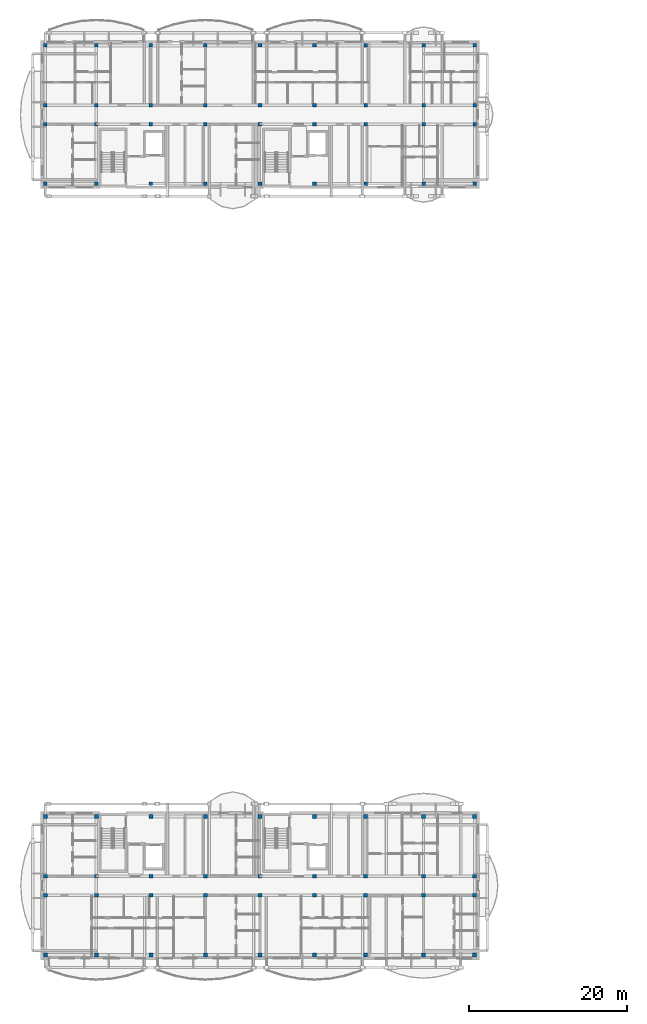
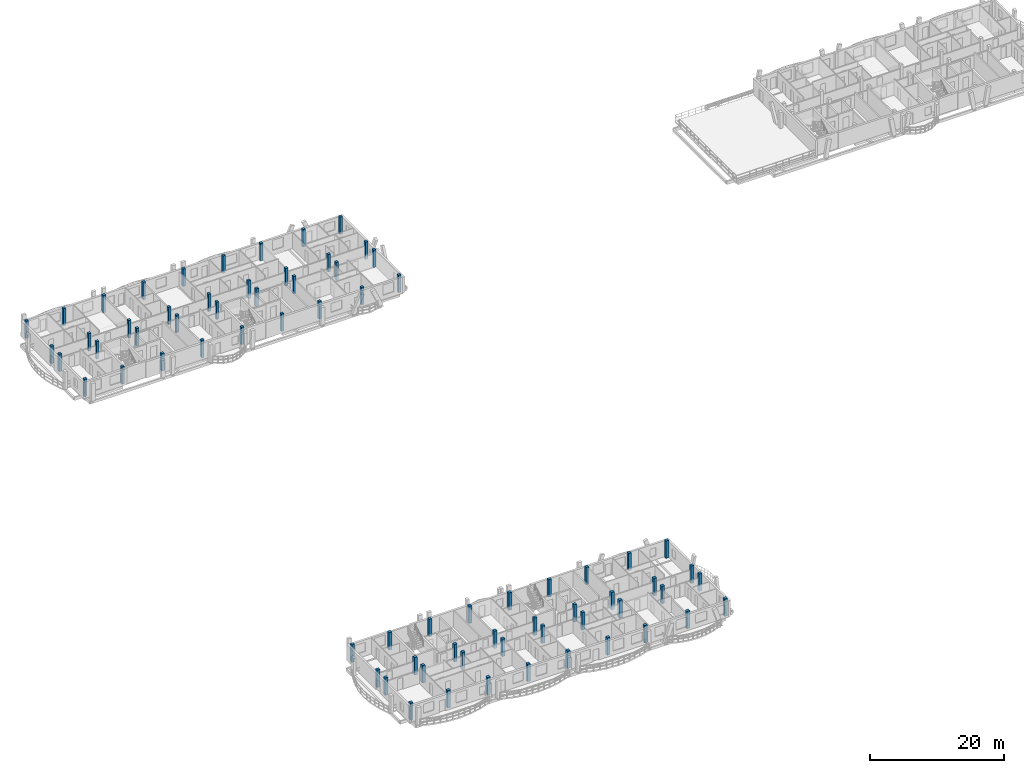
# One storey, part 1 of 44: 72 columns.
"""IFC4 building model written with IfcOpenShell, lengths in metres."""

import ifcopenshell
import ifcopenshell.guid

model = None  # the IFC model being written
_history = None  # IfcOwnerHistory: only IFC2X3 demands one
_inside = {}  # id of a spatial element -> (the spatial element, [elements in it])
_under = {}  # id of a project, library or spatial element -> (it, [spatial elements below it])
_declared = {}  # id of a project -> (the project, [libraries it declares])
_typed = {}  # id of a type object -> (the type object, [elements of that type])
_made_of = {}  # id of a material, layer set ... -> (it, [elements and type objects made of it])


def new_model(schema):
    """Start an empty IFC model of exactly this schema.

    Asked for "IFC4X3", IfcOpenShell would pick the latest addendum, in which some entities
    have other attributes; the version numbers below select the first issue.
    IFC2X3 requires an IfcOwnerHistory on every rooted entity: one is made here for all.
    """
    global model, _history
    if schema == "IFC4X3":
        model = ifcopenshell.file(schema_version=(4, 3, 0, 0))
    else:
        model = ifcopenshell.file(schema=schema)
    _inside.clear()
    _under.clear()
    _declared.clear()
    _typed.clear()
    _made_of.clear()
    _history = None
    if model.schema == "IFC2X3":
        org = make("IfcOrganization", Name="unknown")
        user = make(
            "IfcPersonAndOrganization",
            ThePerson=make("IfcPerson", FamilyName="unknown"),
            TheOrganization=org,
        )
        app = make(
            "IfcApplication",
            ApplicationDeveloper=org,
            Version="unknown",
            ApplicationFullName="unknown",
            ApplicationIdentifier="unknown",
        )
        _history = make(
            "IfcOwnerHistory",
            OwningUser=user,
            OwningApplication=app,
            ChangeAction="ADDED",
            CreationDate=0,
        )
    return model


def make(cls, **values):
    """One entity of the class cls with the attributes given. An attribute that is None is left unset."""
    return model.create_entity(
        cls, **{name: value for name, value in values.items() if value is not None}
    )


def rooted(cls, **values):
    """An entity with a GlobalId (a new one), such as an element, a storey or a relation."""
    return make(cls, GlobalId=ifcopenshell.guid.new(), OwnerHistory=_history, **values)


def si_unit(unit_type, name, prefix=None):
    """IfcSIUnit, for example si_unit("LENGTHUNIT", "METRE", prefix="MILLI")."""
    return make("IfcSIUnit", UnitType=unit_type, Prefix=prefix, Name=name)


def assignment(units):
    """IfcUnitAssignment: the units of a project."""
    return None if units is None else make("IfcUnitAssignment", Units=units)


def point(xyz):
    """IfcCartesianPoint."""
    return None if xyz is None else make("IfcCartesianPoint", Coordinates=xyz)


def direction(xyz):
    """IfcDirection."""
    return None if xyz is None else make("IfcDirection", DirectionRatios=xyz)


def frame(location, z_axis=None, x_axis=None):
    """IfcAxis2Placement3D, a coordinate frame: its origin and axes. An axis left out is left unset."""
    return make(
        "IfcAxis2Placement3D",
        Location=point(location),
        Axis=direction(z_axis),
        RefDirection=direction(x_axis),
    )


def frame_2d(location, x_axis=None):
    """IfcAxis2Placement2D, a coordinate frame in the plane: its origin and x axis."""
    return make(
        "IfcAxis2Placement2D", Location=point(location), RefDirection=direction(x_axis)
    )


def origin():
    """The frame at (0, 0, 0) with its axes left unset."""
    return frame((0.0, 0.0, 0.0))


def origin_2d():
    """The frame at (0, 0) in the plane with its x axis left unset."""
    return frame_2d((0.0, 0.0))


def place(relative_to, where):
    """IfcLocalPlacement: puts the frame where relative to a parent placement (None: the world)."""
    return make(
        "IfcLocalPlacement", PlacementRelTo=relative_to, RelativePlacement=where
    )


def context(
    kind, dimensions, precision=None, world=None, true_north=None, identifier=None
):
    """IfcGeometricRepresentationContext, for example the 3D "Model" context."""
    return make(
        "IfcGeometricRepresentationContext",
        ContextIdentifier=identifier,
        ContextType=kind,
        CoordinateSpaceDimension=dimensions,
        Precision=precision,
        WorldCoordinateSystem=world,
        TrueNorth=true_north,
    )


def subcontext(parent, identifier, kind, view, scale=None):
    """IfcGeometricRepresentationSubContext, for example "Body" below "Model"."""
    return make(
        "IfcGeometricRepresentationSubContext",
        ContextIdentifier=identifier,
        ContextType=kind,
        ParentContext=parent,
        TargetScale=scale,
        TargetView=view,
    )


def project(units=None, contexts=None):
    """IfcProject with its units and contexts."""
    return rooted(
        "IfcProject",
        Name="project",
        RepresentationContexts=contexts,
        UnitsInContext=assignment(units),
    )


def spatial(cls, under=None, at=None, **own):
    """A site, building, storey or space (cls), placed at a placement, below another one or the project."""
    s = rooted(cls, ObjectPlacement=at, **own)
    if under is not None:
        _under.setdefault(under.id(), (under, []))[1].append(s)
    return s


def profile(cls, at=None, kind="AREA", **sizes):
    """A parametric profile (cls). Its sizes go by their IFC names, for example OverallWidth=200.0."""
    return make(cls, ProfileType=kind, Position=at, **sizes)


def rectangle(**sizes):
    """IfcRectangleProfileDef."""
    return profile("IfcRectangleProfileDef", **sizes)


def extrude(swept, where, along, depth):
    """IfcExtrudedAreaSolid: the profile swept, set in the frame where, extruded along a direction by depth."""
    return make(
        "IfcExtrudedAreaSolid",
        SweptArea=swept,
        Position=where,
        ExtrudedDirection=direction(along),
        Depth=depth,
    )


def shape(context_of_items, identifier, shape_type, items):
    """IfcShapeRepresentation: the items that make up one representation, for example the "Body"."""
    return make(
        "IfcShapeRepresentation",
        ContextOfItems=context_of_items,
        RepresentationIdentifier=identifier,
        RepresentationType=shape_type,
        Items=items,
    )


def material(Name=None, Category=None):
    """IfcMaterial."""
    return make("IfcMaterial", Name=Name, Category=Category)


def material_profile(
    of_material, cross_section, Name=None, Category=None, Priority=None
):
    """IfcMaterialProfile: a cross section and its material."""
    return make(
        "IfcMaterialProfile",
        Name=Name,
        Material=of_material,
        Profile=cross_section,
        Priority=Priority,
        Category=Category,
    )


def profile_set(profiles, Name=None, composite=None):
    """IfcMaterialProfileSet."""
    return make(
        "IfcMaterialProfileSet",
        Name=Name,
        MaterialProfiles=profiles,
        CompositeProfile=composite,
    )


def made_of(thing, what):
    """Note that an element or type object is made of a material, layer set ...; save() writes the relation."""
    if what is not None:
        _made_of.setdefault(what.id(), (what, []))[1].append(thing)
    return thing


def type_object(cls, material=None, **own):
    """A type object (cls), such as IfcWallType, which elements share."""
    return made_of(rooted(cls, **own), material)


def element(
    cls,
    number,
    at=None,
    inside=None,
    cuts=None,
    type_object=None,
    material=None,
    context=None,
    identifier="Body",
    shape_type=None,
    held_by="IfcProductDefinitionShape",
    body=None,
    shapes=None,
    **own,
):
    """One element of the class cls, such as IfcWall. Its Tag is "e" and its number.

    at: its placement. inside: the storey or other place that contains it. cuts: it is an
    opening in that element (IfcRelVoidsElement). A single representation is given by context,
    identifier, shape_type and body (its items); several are given by shapes. held_by: the class
    of the entity that holds the representations. save() writes the other relations.
    """
    e = rooted(cls, Tag="e%d" % number, ObjectPlacement=at, **own)
    if body is not None:
        shapes = [shape(context, identifier, shape_type, body)]
    if shapes is not None:
        e.Representation = make(held_by, Representations=shapes)
    if inside is not None:
        _inside.setdefault(inside.id(), (inside, []))[1].append(e)
    if cuts is not None:
        rooted(
            "IfcRelVoidsElement", RelatingBuildingElement=cuts, RelatedOpeningElement=e
        )
    if type_object is not None:
        _typed.setdefault(type_object.id(), (type_object, []))[1].append(e)
    return made_of(e, material)


def aggregate(whole, parts):
    """IfcRelAggregates: a whole, such as a stair, and the parts it consists of."""
    return rooted("IfcRelAggregates", RelatingObject=whole, RelatedObjects=parts)


def save(model, path):
    """Write the relations noted so far, then the file.

    IfcRelAggregates (storeys below a building ...), IfcRelContainedInSpatialStructure (elements
    in a storey), IfcRelDefinesByType, IfcRelAssociatesMaterial and IfcRelDeclares: one each for
    every whole, place, type object, material and project.
    """
    for whole, parts in _under.values():
        aggregate(whole, parts)
    for where, things in _inside.values():
        rooted(
            "IfcRelContainedInSpatialStructure",
            RelatedElements=things,
            RelatingStructure=where,
        )
    for kind, things in _typed.values():
        rooted("IfcRelDefinesByType", RelatedObjects=things, RelatingType=kind)
    for what, things in _made_of.values():
        rooted("IfcRelAssociatesMaterial", RelatedObjects=things, RelatingMaterial=what)
    for by, libraries in _declared.values():
        rooted("IfcRelDeclares", RelatingContext=by, RelatedDefinitions=libraries)
    model.write(path)


model = new_model("IFC4")

# Units and contexts
model_context = context("Model", 3, precision=1e-05, world=origin(), true_north=direction((0.0, 1.0)))
body_context = subcontext(model_context, "Body", "Model", "MODEL_VIEW")
ifc_project = project(units=[si_unit("LENGTHUNIT", "METRE"), si_unit("AREAUNIT", "SQUARE_METRE"), si_unit("VOLUMEUNIT", "CUBIC_METRE"), si_unit("PLANEANGLEUNIT", "RADIAN"), si_unit("MASSUNIT", "GRAM", prefix="KILO")], contexts=[model_context])

# Site, building, storey
site_placement = place(None, origin())
site = spatial("IfcSite", under=ifc_project, at=site_placement, CompositionType="ELEMENT")
building_placement = place(site_placement, origin())
building = spatial("IfcBuilding", under=site, at=building_placement, Name="Zavelmont Quarter", CompositionType="ELEMENT")
storey_placement = place(building_placement, frame((0.0, 0.0, 20.800048828125)))
storey = spatial("IfcBuildingStorey", under=building, at=storey_placement, Name="L06", CompositionType="ELEMENT", Elevation=20.800048828125)

# Columns
ifc_material_1 = material(Name="Concrete C40/50", Category="concrete")
ifc_material_profile_1 = material_profile(ifc_material_1, rectangle(XDim=0.5, YDim=0.5, at=origin_2d()), Name="RC500X500")
ifc_profile_set_1 = profile_set([ifc_material_profile_1], Name="Concrete C40/50")
column_type_1 = type_object("IfcColumnType", Name="CL03", PredefinedType="COLUMN", material=ifc_profile_set_1)
for number, where, z_axis, x_axis, name in (
    (1, (0.43994140625, 0.43994140625, 0.0), (0.0, 0.0, 1.0), (1.0, 0.0, 0.0), "L06 column CL03 at 1/A"),
    (2, (0.43994140625, 8.0, 0.0), (0.0, 0.0, 1.0), (1.0, 0.0, 0.0), "L06 column CL03 at 1/B"),
    (3, (0.43994140625, 10.39990234375, 0.0), (0.0, 0.0, 1.0), (1.0, 0.0, 0.0), "L06 column CL03 at 1/C"),
    (4, (0.43994140625, 17.9599609375, 0.0), (0.0, 0.0, 1.0), (1.0, 0.0, 0.0), "L06 column CL03 at 1/D"),
    (5, (6.89990234375, 0.43994140625, 0.0), (0.0, 0.0, 1.0), (1.0, 0.0, 0.0), "L06 column CL03 at 2/A"),
    (6, (6.89990234375, 8.0, 0.0), (0.0, 0.0, 1.0), (1.0, 0.0, 0.0), "L06 column CL03 at 2/B"),
    (7, (6.89990234375, 10.39990234375, 0.0), (0.0, 0.0, 1.0), (1.0, 0.0, 0.0), "L06 column CL03 at 2/C"),
    (8, (6.89990234375, 17.9599609375, 0.0), (0.0, 0.0, 1.0), (1.0, 0.0, 0.0), "L06 column CL03 at 2/D"),
    (9, (13.800048828125, 0.43994140625, 0.0), (0.0, 0.0, 1.0), (1.0, 0.0, 0.0), "L06 column CL03 at 3/A"),
    (10, (13.800048828125, 8.0, 0.0), (0.0, 0.0, 1.0), (1.0, 0.0, 0.0), "L06 column CL03 at 3/B"),
    (11, (13.800048828125, 10.39990234375, 0.0), (0.0, 0.0, 1.0), (1.0, 0.0, 0.0), "L06 column CL03 at 3/C"),
    (12, (13.800048828125, 17.9599609375, 0.0), (0.0, 0.0, 1.0), (1.0, 0.0, 0.0), "L06 column CL03 at 3/D"),
    (13, (20.699951171875, 0.43994140625, 0.0), (0.0, 0.0, 1.0), (1.0, 0.0, 0.0), "L06 column CL03 at 4/A"),
    (14, (20.699951171875, 8.0, 0.0), (0.0, 0.0, 1.0), (1.0, 0.0, 0.0), "L06 column CL03 at 4/B"),
    (15, (20.699951171875, 10.39990234375, 0.0), (0.0, 0.0, 1.0), (1.0, 0.0, 0.0), "L06 column CL03 at 4/C"),
    (16, (20.699951171875, 17.9599609375, 0.0), (0.0, 0.0, 1.0), (1.0, 0.0, 0.0), "L06 column CL03 at 4/D"),
    (17, (27.60009765625, 0.43994140625, 0.0), (0.0, 0.0, 1.0), (1.0, 0.0, 0.0), "L06 column CL03 at 5/A"),
    (18, (27.60009765625, 8.0, 0.0), (0.0, 0.0, 1.0), (1.0, 0.0, 0.0), "L06 column CL03 at 5/B"),
    (19, (27.60009765625, 10.39990234375, 0.0), (0.0, 0.0, 1.0), (1.0, 0.0, 0.0), "L06 column CL03 at 5/C"),
    (20, (27.60009765625, 17.9599609375, 0.0), (0.0, 0.0, 1.0), (1.0, 0.0, 0.0), "L06 column CL03 at 5/D"),
    (21, (34.5, 0.43994140625, 0.0), (0.0, 0.0, 1.0), (1.0, 0.0, 0.0), "L06 column CL03 at 6/A"),
    (22, (34.5, 8.0, 0.0), (0.0, 0.0, 1.0), (1.0, 0.0, 0.0), "L06 column CL03 at 6/B"),
    (23, (34.5, 10.39990234375, 0.0), (0.0, 0.0, 1.0), (1.0, 0.0, 0.0), "L06 column CL03 at 6/C"),
    (24, (34.5, 17.9599609375, 0.0), (0.0, 0.0, 1.0), (1.0, 0.0, 0.0), "L06 column CL03 at 6/D"),
    (25, (40.9599609375, 0.43994140625, 0.0), (0.0, 0.0, 1.0), (1.0, 0.0, 0.0), "L06 column CL03 at 7/A"),
    (26, (40.9599609375, 8.0, 0.0), (0.0, 0.0, 1.0), (1.0, 0.0, 0.0), "L06 column CL03 at 7/B"),
    (27, (40.9599609375, 10.39990234375, 0.0), (0.0, 0.0, 1.0), (1.0, 0.0, 0.0), "L06 column CL03 at 7/C"),
    (28, (40.9599609375, 17.9599609375, 0.0), (0.0, 0.0, 1.0), (1.0, 0.0, 0.0), "L06 column CL03 at 7/D"),
    (29, (48.300048828125, 0.43994140625, 0.0), (0.0, 0.0, 1.0), (1.0, 0.0, 0.0), "L06 column CL03 at 8/A"),
    (30, (48.300048828125, 8.0, 0.0), (0.0, 0.0, 1.0), (1.0, 0.0, 0.0), "L06 column CL03 at 8/B"),
    (31, (48.300048828125, 10.39990234375, 0.0), (0.0, 0.0, 1.0), (1.0, 0.0, 0.0), "L06 column CL03 at 8/C"),
    (32, (48.300048828125, 17.9599609375, 0.0), (0.0, 0.0, 1.0), (1.0, 0.0, 0.0), "L06 column CL03 at 8/D"),
    (33, (54.760009765625, 0.43994140625, 0.0), (0.0, 0.0, 1.0), (1.0, 0.0, 0.0), "L06 column CL03 at 9/A"),
    (34, (54.760009765625, 8.0, 0.0), (0.0, 0.0, 1.0), (1.0, 0.0, 0.0), "L06 column CL03 at 9/B"),
    (35, (54.760009765625, 10.39990234375, 0.0), (0.0, 0.0, 1.0), (1.0, 0.0, 0.0), "L06 column CL03 at 9/C"),
    (36, (54.760009765625, 17.9599609375, 0.0), (0.0, 0.0, 1.0), (1.0, 0.0, 0.0), "L06 column CL03 at 9/D"),
):
    element("IfcColumn", number, at=place(storey_placement, frame(where, z_axis=z_axis, x_axis=x_axis)), inside=storey, type_object=column_type_1, Name=name, PredefinedType="COLUMN", context=body_context, shape_type="SweptSolid", body=[
        extrude(rectangle(XDim=0.5, YDim=0.5, at=origin_2d()), origin(), (0.0, 0.0, 1.0), 3.199951171875),
    ])
ifc_material_2 = material(Name="Concrete C35/45", Category="concrete")
ifc_material_profile_2 = material_profile(ifc_material_2, rectangle(XDim=0.449951171875, YDim=0.449951171875, at=origin_2d()), Name="RC450X450")
ifc_profile_set_2 = profile_set([ifc_material_profile_2], Name="Concrete C35/45")
column_type_2 = type_object("IfcColumnType", Name="CL04", PredefinedType="COLUMN", material=ifc_profile_set_2)
for number, where, z_axis, x_axis, name in (
    (37, (0.43994140625, 98.0400390625, 0.0), (0.0, 0.0, 1.0), (1.0, 0.0, 0.0), "L06 column CL04 at 1/P"),
    (38, (0.43994140625, 105.60009765625, 0.0), (0.0, 0.0, 1.0), (1.0, 0.0, 0.0), "L06 column CL04 at 1/Q"),
    (39, (0.43994140625, 108.0, 0.0), (0.0, 0.0, 1.0), (1.0, 0.0, 0.0), "L06 column CL04 at 1/R"),
    (40, (0.43994140625, 115.56005859375, 0.0), (0.0, 0.0, 1.0), (1.0, 0.0, 0.0), "L06 column CL04 at 1/S"),
    (41, (6.89990234375, 98.0400390625, 0.0), (0.0, 0.0, 1.0), (1.0, 0.0, 0.0), "L06 column CL04 at 2/P"),
    (42, (6.89990234375, 105.60009765625, 0.0), (0.0, 0.0, 1.0), (1.0, 0.0, 0.0), "L06 column CL04 at 2/Q"),
    (43, (6.89990234375, 108.0, 0.0), (0.0, 0.0, 1.0), (1.0, 0.0, 0.0), "L06 column CL04 at 2/R"),
    (44, (6.89990234375, 115.56005859375, 0.0), (0.0, 0.0, 1.0), (1.0, 0.0, 0.0), "L06 column CL04 at 2/S"),
    (45, (13.800048828125, 98.0400390625, 0.0), (0.0, 0.0, 1.0), (1.0, 0.0, 0.0), "L06 column CL04 at 3/P"),
    (46, (13.800048828125, 105.60009765625, 0.0), (0.0, 0.0, 1.0), (1.0, 0.0, 0.0), "L06 column CL04 at 3/Q"),
    (47, (13.800048828125, 108.0, 0.0), (0.0, 0.0, 1.0), (1.0, 0.0, 0.0), "L06 column CL04 at 3/R"),
    (48, (13.800048828125, 115.56005859375, 0.0), (0.0, 0.0, 1.0), (1.0, 0.0, 0.0), "L06 column CL04 at 3/S"),
    (49, (20.699951171875, 98.0400390625, 0.0), (0.0, 0.0, 1.0), (1.0, 0.0, 0.0), "L06 column CL04 at 4/P"),
    (50, (20.699951171875, 105.60009765625, 0.0), (0.0, 0.0, 1.0), (1.0, 0.0, 0.0), "L06 column CL04 at 4/Q"),
    (51, (20.699951171875, 108.0, 0.0), (0.0, 0.0, 1.0), (1.0, 0.0, 0.0), "L06 column CL04 at 4/R"),
    (52, (20.699951171875, 115.56005859375, 0.0), (0.0, 0.0, 1.0), (1.0, 0.0, 0.0), "L06 column CL04 at 4/S"),
    (53, (27.60009765625, 98.0400390625, 0.0), (0.0, 0.0, 1.0), (1.0, 0.0, 0.0), "L06 column CL04 at 5/P"),
    (54, (27.60009765625, 105.60009765625, 0.0), (0.0, 0.0, 1.0), (1.0, 0.0, 0.0), "L06 column CL04 at 5/Q"),
    (55, (27.60009765625, 108.0, 0.0), (0.0, 0.0, 1.0), (1.0, 0.0, 0.0), "L06 column CL04 at 5/R"),
    (56, (27.60009765625, 115.56005859375, 0.0), (0.0, 0.0, 1.0), (1.0, 0.0, 0.0), "L06 column CL04 at 5/S"),
    (57, (34.5, 98.0400390625, 0.0), (0.0, 0.0, 1.0), (1.0, 0.0, 0.0), "L06 column CL04 at 6/P"),
    (58, (34.5, 105.60009765625, 0.0), (0.0, 0.0, 1.0), (1.0, 0.0, 0.0), "L06 column CL04 at 6/Q"),
    (59, (34.5, 108.0, 0.0), (0.0, 0.0, 1.0), (1.0, 0.0, 0.0), "L06 column CL04 at 6/R"),
    (60, (34.5, 115.56005859375, 0.0), (0.0, 0.0, 1.0), (1.0, 0.0, 0.0), "L06 column CL04 at 6/S"),
    (61, (40.9599609375, 98.0400390625, 0.0), (0.0, 0.0, 1.0), (1.0, 0.0, 0.0), "L06 column CL04 at 7/P"),
    (62, (40.9599609375, 105.60009765625, 0.0), (0.0, 0.0, 1.0), (1.0, 0.0, 0.0), "L06 column CL04 at 7/Q"),
    (63, (40.9599609375, 108.0, 0.0), (0.0, 0.0, 1.0), (1.0, 0.0, 0.0), "L06 column CL04 at 7/R"),
    (64, (40.9599609375, 115.56005859375, 0.0), (0.0, 0.0, 1.0), (1.0, 0.0, 0.0), "L06 column CL04 at 7/S"),
    (65, (48.300048828125, 98.0400390625, 0.0), (0.0, 0.0, 1.0), (1.0, 0.0, 0.0), "L06 column CL04 at 8/P"),
    (66, (48.300048828125, 105.60009765625, 0.0), (0.0, 0.0, 1.0), (1.0, 0.0, 0.0), "L06 column CL04 at 8/Q"),
    (67, (48.300048828125, 108.0, 0.0), (0.0, 0.0, 1.0), (1.0, 0.0, 0.0), "L06 column CL04 at 8/R"),
    (68, (48.300048828125, 115.56005859375, 0.0), (0.0, 0.0, 1.0), (1.0, 0.0, 0.0), "L06 column CL04 at 8/S"),
    (69, (54.760009765625, 98.0400390625, 0.0), (0.0, 0.0, 1.0), (1.0, 0.0, 0.0), "L06 column CL04 at 9/P"),
    (70, (54.760009765625, 105.60009765625, 0.0), (0.0, 0.0, 1.0), (1.0, 0.0, 0.0), "L06 column CL04 at 9/Q"),
    (71, (54.760009765625, 108.0, 0.0), (0.0, 0.0, 1.0), (1.0, 0.0, 0.0), "L06 column CL04 at 9/R"),
    (72, (54.760009765625, 115.56005859375, 0.0), (0.0, 0.0, 1.0), (1.0, 0.0, 0.0), "L06 column CL04 at 9/S"),
):
    element("IfcColumn", number, at=place(storey_placement, frame(where, z_axis=z_axis, x_axis=x_axis)), inside=storey, type_object=column_type_2, Name=name, PredefinedType="COLUMN", context=body_context, shape_type="SweptSolid", body=[
        extrude(rectangle(XDim=0.449951171875, YDim=0.449951171875, at=origin_2d()), origin(), (0.0, 0.0, 1.0), 3.199951171875),
    ])

save(model, "model.ifc")
